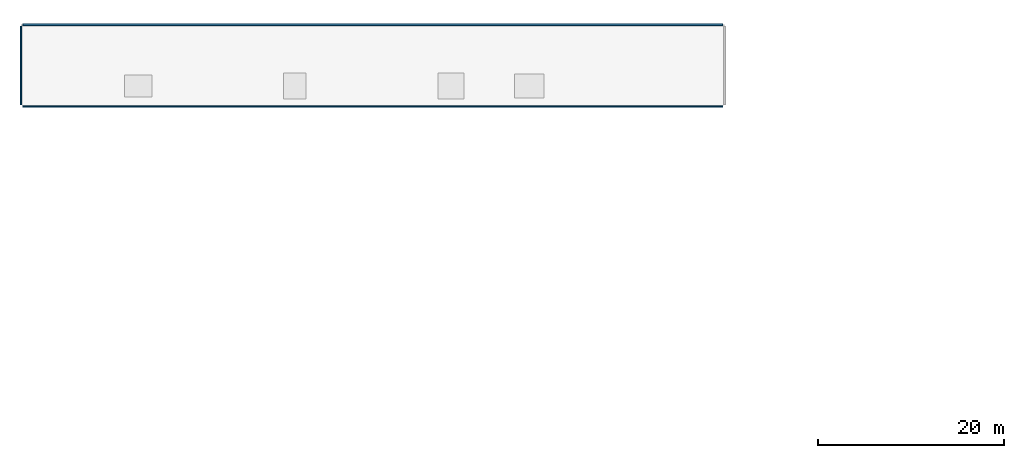
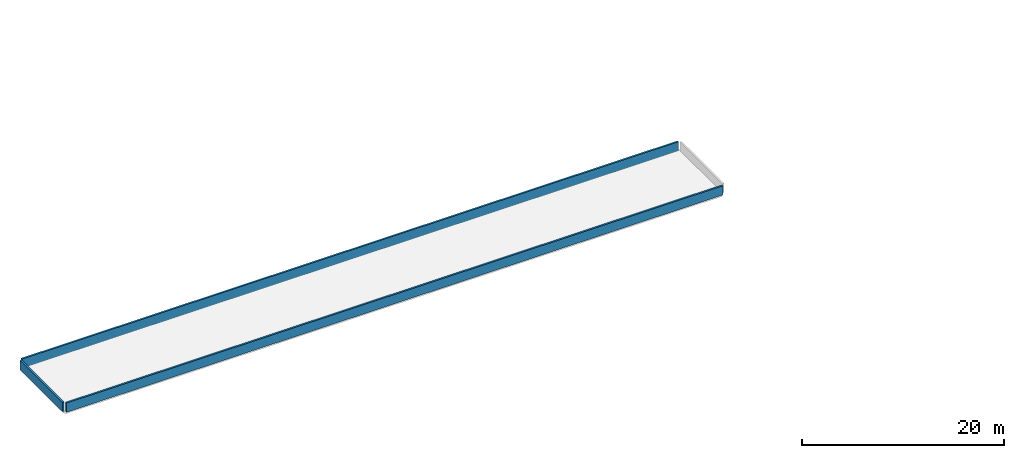
# One storey, part 9 of 16: 3 walls.
"""IFC4 building model written with IfcOpenShell, lengths in metres."""

from ifc_helpers import new_model, si_unit, direction, frame, frame_2d, origin, place, context, subcontext, project, spatial, rectangle, extrude, material, layer, layer_set, type_object, element, save


model = new_model("IFC4")

# Units and contexts
model_context = context("Model", 3, precision=1e-05, world=origin(), true_north=direction((0.0, 1.0)))
body_context = subcontext(model_context, "Body", "Model", "MODEL_VIEW")
ifc_project = project(units=[si_unit("LENGTHUNIT", "METRE"), si_unit("AREAUNIT", "SQUARE_METRE"), si_unit("VOLUMEUNIT", "CUBIC_METRE"), si_unit("PLANEANGLEUNIT", "RADIAN"), si_unit("MASSUNIT", "GRAM", prefix="KILO")], contexts=[model_context])

# Site, building, storey
site_placement = place(None, origin())
site = spatial("IfcSite", under=ifc_project, at=site_placement, CompositionType="ELEMENT")
building_placement = place(site_placement, origin())
building = spatial("IfcBuilding", under=site, at=building_placement, Name="Kemercrest Conservatory and Botanical Centre", CompositionType="ELEMENT")
storey_placement = place(building_placement, frame((0.0, 0.0, 17.199951171875)))
storey = spatial("IfcBuildingStorey", under=building, at=storey_placement, Name="L04", CompositionType="ELEMENT", Elevation=17.199951171875)

# Walls
ifc_material = material(Name="Precast concrete C40/50", Category="concrete")
ifc_layer = layer(ifc_material, 0.199951171875)
ifc_layer_set = layer_set([ifc_layer], Name="Precast concrete C40/50")
wall_type = type_object("IfcWallType", Name="W-PAR200", PredefinedType="PARAPET", material=ifc_layer_set)
for number, where, z_axis, x_axis, name in (
    (1, (16.60009765625, 113.60009765625, 0.0), (0.0, 0.0, 1.0), (1.0, 0.0, 0.0), "V3-PAV roof perimeter parapet #1"),
    (2, (91.800048828125, 122.39990234375, 0.0), (0.0, 0.0, 1.0), (-1.0, 0.0, 0.0), "V3-PAV roof perimeter parapet #3"),
):
    element("IfcWall", number, at=place(storey_placement, frame(where, z_axis=z_axis, x_axis=x_axis)), inside=storey, type_object=wall_type, Name=name, PredefinedType="PARAPET", context=body_context, shape_type="SweptSolid", body=[
        extrude(rectangle(XDim=75.199951171875, YDim=0.199951171875, at=frame_2d((37.60009765625, 0.0))), origin(), (0.0, 0.0, 1.0), 1.1201171875),
    ])
wall_placement = place(storey_placement, frame((16.39990234375, 122.199951171875, 0.0), z_axis=(0.0, 0.0, 1.0), x_axis=(0.0, -1.0, 0.0)))
element("IfcWall", 3, at=wall_placement, inside=storey, type_object=wall_type, Name="V3-PAV roof perimeter parapet #4", PredefinedType="PARAPET", context=body_context, shape_type="SweptSolid", body=[
    extrude(rectangle(XDim=8.39990234375, YDim=0.199951171875, at=frame_2d((4.199951171875, 0.0))), origin(), (0.0, 0.0, 1.0), 1.1201171875),
])

save(model, "model.ifc")
